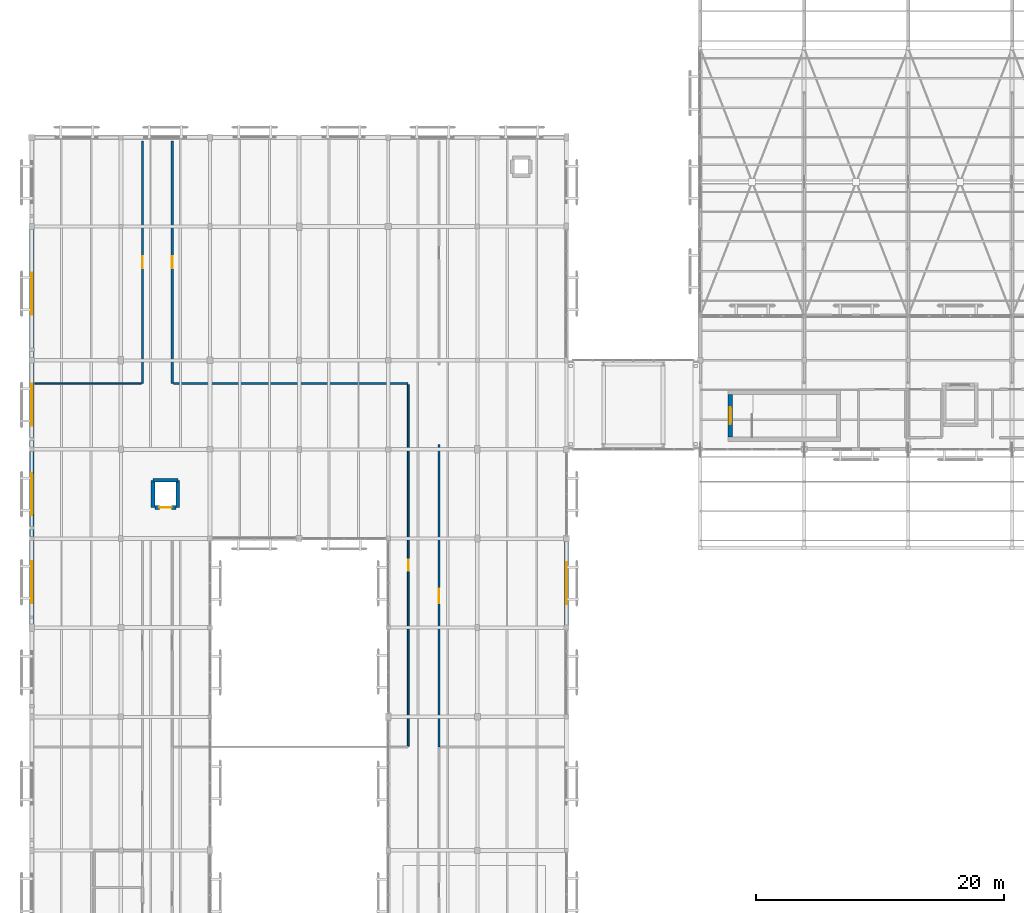
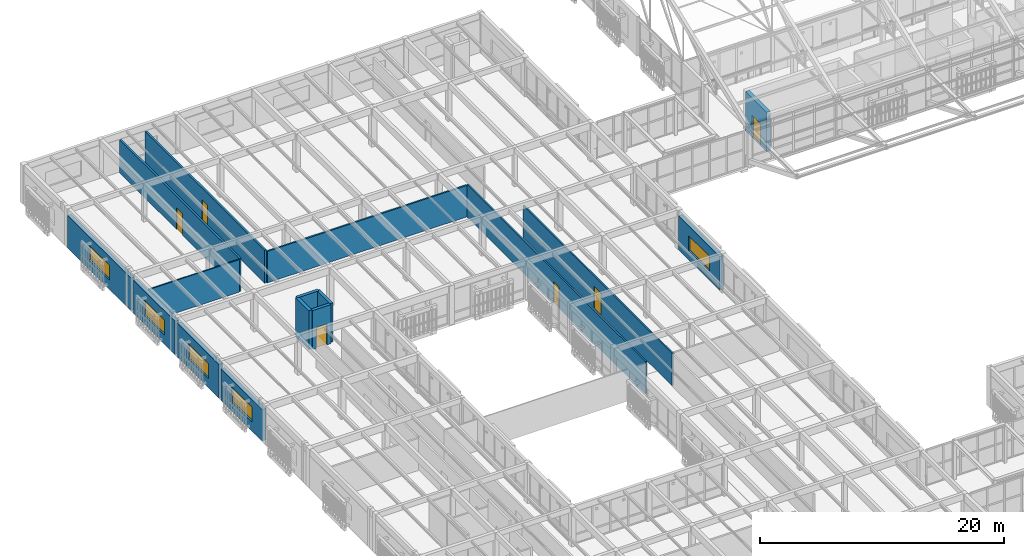
# One storey, part 180 of 217: 16 walls, 6 doors, 5 windows, 11 openings.
"""IFC4 building model written with IfcOpenShell, lengths in metres."""

from ifc_helpers import new_model, si_unit, direction, frame, frame_2d, origin, place, context, subcontext, project, spatial, rectangle, extrude, material, layer, layer_set, type_object, element, fill, save


model = new_model("IFC4")

# Units and contexts
model_context = context("Model", 3, precision=1e-05, world=origin(), true_north=direction((0.0, 1.0)))
body_context = subcontext(model_context, "Body", "Model", "MODEL_VIEW")
ifc_project = project(units=[si_unit("LENGTHUNIT", "METRE"), si_unit("AREAUNIT", "SQUARE_METRE"), si_unit("VOLUMEUNIT", "CUBIC_METRE"), si_unit("PLANEANGLEUNIT", "RADIAN"), si_unit("MASSUNIT", "GRAM", prefix="KILO")], contexts=[model_context])

# Site, building, storey
site_placement = place(None, origin())
site = spatial("IfcSite", under=ifc_project, at=site_placement, CompositionType="ELEMENT")
building_placement = place(site_placement, origin())
building = spatial("IfcBuilding", under=site, at=building_placement, Name="Mazaris Harbour Polytechnic", CompositionType="ELEMENT")
storey_placement = place(building_placement, frame((0.0, 0.0, 9.60009765625)))
storey = spatial("IfcBuildingStorey", under=building, at=storey_placement, Name="L02", CompositionType="ELEMENT", Elevation=9.60009765625)

# Walls
ifc_material_1 = material(Name="Gypsum Board and Mineral Wool")
ifc_layer_1 = layer(ifc_material_1, 0.1201171875, Name="Gypsum Board and Mineral Wool")
ifc_layer_set_1 = layer_set([ifc_layer_1], Name="Gypsum Board and Mineral Wool")
wall_type_1 = type_object("IfcWallType", Name="Acoustic Stud Partition 120", PredefinedType="PARTITIONING", material=ifc_layer_set_1)
wall_1_placement = place(storey_placement, frame((0.25, 80.9208984375, 0.0), z_axis=(0.0, 0.0, 1.0), x_axis=(1.0, 0.0, 0.0)))
element("IfcWall", 1, at=wall_1_placement, inside=storey, type_object=wall_type_1, Name="V4 L02 Partition 384", PredefinedType="PARTITIONING", context=body_context, shape_type="SweptSolid", body=[
    extrude(rectangle(XDim=8.580078125, YDim=0.1201171875, at=frame_2d((4.2900390625, 0.0))), origin(), (0.0, 0.0, 1.0), 3.25),
])
ifc_material_2 = material(Name="Double Gypsum and Mineral Wool")
ifc_layer_2 = layer(ifc_material_2, 0.14990234375, Name="Double Gypsum and Mineral Wool")
ifc_layer_set_2 = layer_set([ifc_layer_2], Name="Double Gypsum and Mineral Wool")
wall_type_2 = type_object("IfcWallType", Name="Classroom Acoustic Partition 150", PredefinedType="PARTITIONING", material=ifc_layer_set_2)
wall_2_placement = place(storey_placement, frame((11.469970703125, 80.9208984375, 0.0), z_axis=(0.0, 0.0, 1.0), x_axis=(1.0, 0.0, 0.0)))
element("IfcWall", 2, at=wall_2_placement, inside=storey, type_object=wall_type_2, Name="V4 L02 Partition 391", PredefinedType="PARTITIONING", context=body_context, shape_type="SweptSolid", body=[
    extrude(rectangle(XDim=18.909912109375, YDim=0.14990234375, at=frame_2d((9.455078125, 0.0))), origin(), (0.0, 0.0, 1.0), 3.14990234375),
])

# Wall, opening, door
ifc_material_3 = material(Name="Terracotta Block and Plaster", Category="masonry")
ifc_layer_3 = layer(ifc_material_3, 0.179931640625, Name="Terracotta Block and Plaster")
ifc_layer_set_3 = layer_set([ifc_layer_3], Name="Terracotta Block and Plaster")
wall_type_3 = type_object("IfcWallType", Name="Corridor Fire Partition 180", PredefinedType="PARTITIONING", material=ifc_layer_set_3)
wall_3_placement = place(storey_placement, frame((8.949951171875, 80.9208984375, 0.0), z_axis=(0.0, 0.0, 1.0), x_axis=(0.0, 1.0, 0.0)))
wall_3 = element("IfcWall", 3, at=wall_3_placement, inside=storey, type_object=wall_type_3, Name="V4 L02 Partition 385", PredefinedType="PARTITIONING", context=body_context, shape_type="SweptSolid", body=[
    extrude(rectangle(XDim=19.5791015625, YDim=0.179931640625, at=frame_2d((9.78955078125, 0.0))), origin(), (0.0, 0.0, 1.0), 3.309814453125),
])
opening_1_placement = place(wall_3_placement, frame((9.314453125, 0.0, 0.0)))
opening_1 = element("IfcOpeningElement", 4, at=opening_1_placement, cuts=wall_3, Name="Opening ID-01L", PredefinedType="OPENING", context=body_context, shape_type="SweptSolid", body=[
    extrude(rectangle(XDim=0.949951171875, YDim=2.14990234375, at=frame_2d((0.47509765625, 1.074951171875))), frame((0.0, 0.099853515625, 0.0), z_axis=(0.0, -1.0, 0.0), x_axis=(1.0, 0.0, 0.0)), (0.0, 0.0, 1.0), 0.199951171875),
])
ifc_material_4 = material(Name="Solid Oak Timber", Category="wood")
door_type_1 = type_object("IfcDoorType", Name="Classroom Single Door LH 950x2150", OperationType="SINGLE_SWING_LEFT", PredefinedType="DOOR", material=ifc_material_4)
door_1_placement = place(opening_1_placement, origin())
door_1 = element("IfcDoor", 5, at=door_1_placement, inside=storey, type_object=door_type_1, Name="ID-0180", OperationType="SINGLE_SWING_LEFT", OverallHeight=2.14990234375, OverallWidth=0.949951171875, PredefinedType="DOOR", context=body_context, shape_type="SweptSolid", body=[
    extrude(rectangle(XDim=0.949951171875, YDim=2.14990234375, at=frame_2d((0.47509765625, 1.074951171875))), frame((0.0, 0.02490234375, 0.0), z_axis=(0.0, -1.0, 0.0), x_axis=(1.0, 0.0, 0.0)), (0.0, 0.0, 1.0), 0.050048828125),
])
fill(opening_1, door_1)

wall_4_placement = place(storey_placement, frame((11.35009765625, 80.9208984375, 0.0), z_axis=(0.0, 0.0, 1.0), x_axis=(0.0, 1.0, 0.0)))
wall_4 = element("IfcWall", 6, at=wall_4_placement, inside=storey, type_object=wall_type_3, Name="V4 L02 Partition 392", PredefinedType="PARTITIONING", context=body_context, shape_type="SweptSolid", body=[
    extrude(rectangle(XDim=19.5791015625, YDim=0.179931640625, at=frame_2d((9.78955078125, 0.0))), origin(), (0.0, 0.0, 1.0), 3.309814453125),
])
opening_2_placement = place(wall_4_placement, frame((9.314453125, 0.0, 0.0)))
opening_2 = element("IfcOpeningElement", 7, at=opening_2_placement, cuts=wall_4, Name="Opening ID-01L", PredefinedType="OPENING", context=body_context, shape_type="SweptSolid", body=[
    extrude(rectangle(XDim=0.949951171875, YDim=2.14990234375, at=frame_2d((0.47509765625, 1.074951171875))), frame((0.0, 0.099853515625, 0.0), z_axis=(0.0, -1.0, 0.0), x_axis=(1.0, 0.0, 0.0)), (0.0, 0.0, 1.0), 0.199951171875),
])
door_2_placement = place(opening_2_placement, origin())
door_2 = element("IfcDoor", 8, at=door_2_placement, inside=storey, type_object=door_type_1, Name="ID-0184", OperationType="SINGLE_SWING_LEFT", OverallHeight=2.14990234375, OverallWidth=0.949951171875, PredefinedType="DOOR", context=body_context, shape_type="SweptSolid", body=[
    extrude(rectangle(XDim=0.949951171875, YDim=2.14990234375, at=frame_2d((0.47509765625, 1.074951171875))), frame((0.0, 0.02490234375, 0.0), z_axis=(0.0, -1.0, 0.0), x_axis=(1.0, 0.0, 0.0)), (0.0, 0.0, 1.0), 0.050048828125),
])
fill(opening_2, door_2)

# Wall, opening, window
ifc_material_5 = material(Name="Algerian Buff Limestone and Concrete C30/37", Category="masonry")
ifc_layer_4 = layer(ifc_material_5, 0.360107421875, Name="Algerian Buff Limestone and Concrete C30/37")
ifc_layer_set_4 = layer_set([ifc_layer_4], Name="Algerian Buff Limestone and Concrete C30/37")
wall_type_4 = type_object("IfcWallType", Name="Limestone Ashlar Exterior Wall 360", PredefinedType="STANDARD", material=ifc_layer_set_4)
wall_5_placement = place(storey_placement, frame((0.0, 61.491943359375, 0.0), z_axis=(0.0, 0.0, 1.0), x_axis=(0.0, 1.0, 0.0)))
wall_5 = element("IfcWall", 9, at=wall_5_placement, inside=storey, type_object=wall_type_4, Name="V4 L02 Exterior Wall 206", PredefinedType="STANDARD", context=body_context, shape_type="SweptSolid", body=[
    extrude(rectangle(XDim=6.74609375, YDim=0.360107421875, at=frame_2d((3.373046875, 0.0))), origin(), (0.0, 0.0, 1.0), 3.14990234375),
])
opening_3_placement = place(wall_5_placement, frame((1.673095703125, 0.0, 0.89990234375)))
opening_3 = element("IfcOpeningElement", 10, at=opening_3_placement, cuts=wall_5, Name="Opening WN-16", PredefinedType="OPENING", context=body_context, shape_type="SweptSolid", body=[
    extrude(rectangle(XDim=3.39990234375, YDim=1.5, at=frame_2d((1.699951171875, 0.75))), frame((0.0, 0.18994140625, 0.0), z_axis=(0.0, -1.0, 0.0), x_axis=(1.0, 0.0, 0.0)), (0.0, 0.0, 1.0), 0.380126953125),
])
ifc_material_6 = material(Name="Thermally Broken Bronze Aluminium and Low-E Glass", Category="aluminium")
window_type = type_object("IfcWindowType", Name="Workshop Clerestory Ribbon 3400x1500", PartitioningType="DOUBLE_PANEL_VERTICAL", PredefinedType="WINDOW", material=ifc_material_6)
window_1_placement = place(opening_3_placement, origin())
window_1 = element("IfcWindow", 11, at=window_1_placement, inside=storey, type_object=window_type, Name="WN-0208", OverallHeight=1.5, OverallWidth=3.39990234375, PartitioningType="DOUBLE_PANEL_VERTICAL", PredefinedType="WINDOW", context=body_context, shape_type="SweptSolid", body=[
    extrude(rectangle(XDim=3.39990234375, YDim=1.5, at=frame_2d((1.699951171875, 0.75))), frame((0.0, 0.030029296875, 0.0), z_axis=(0.0, -1.0, 0.0), x_axis=(1.0, 0.0, 0.0)), (0.0, 0.0, 1.0), 0.06005859375),
])
fill(opening_3, window_1)

wall_6_placement = place(storey_placement, frame((0.0, 68.56201171875, 0.0), z_axis=(0.0, 0.0, 1.0), x_axis=(0.0, 1.0, 0.0)))
wall_6 = element("IfcWall", 12, at=wall_6_placement, inside=storey, type_object=wall_type_4, Name="V4 L02 Exterior Wall 207", PredefinedType="STANDARD", context=body_context, shape_type="SweptSolid", body=[
    extrude(rectangle(XDim=6.85595703125, YDim=0.360107421875, at=frame_2d((3.427978515625, 0.0))), origin(), (0.0, 0.0, 1.0), 3.369873046875),
])
opening_4_placement = place(wall_6_placement, frame((1.72802734375, 0.0, 0.89990234375)))
opening_4 = element("IfcOpeningElement", 13, at=opening_4_placement, cuts=wall_6, Name="Opening WN-16", PredefinedType="OPENING", context=body_context, shape_type="SweptSolid", body=[
    extrude(rectangle(XDim=3.39990234375, YDim=1.5, at=frame_2d((1.699951171875, 0.75))), frame((0.0, 0.18994140625, 0.0), z_axis=(0.0, -1.0, 0.0), x_axis=(1.0, 0.0, 0.0)), (0.0, 0.0, 1.0), 0.380126953125),
])
window_2_placement = place(opening_4_placement, origin())
window_2 = element("IfcWindow", 14, at=window_2_placement, inside=storey, type_object=window_type, Name="WN-0209", OverallHeight=1.5, OverallWidth=3.39990234375, PartitioningType="DOUBLE_PANEL_VERTICAL", PredefinedType="WINDOW", context=body_context, shape_type="SweptSolid", body=[
    extrude(rectangle(XDim=3.39990234375, YDim=1.5, at=frame_2d((1.699951171875, 0.75))), frame((0.0, 0.030029296875, 0.0), z_axis=(0.0, -1.0, 0.0), x_axis=(1.0, 0.0, 0.0)), (0.0, 0.0, 1.0), 0.06005859375),
])
fill(opening_4, window_2)

wall_7_placement = place(storey_placement, frame((0.0, 75.781982421875, 0.0), z_axis=(0.0, 0.0, 1.0), x_axis=(0.0, 1.0, 0.0)))
wall_7 = element("IfcWall", 15, at=wall_7_placement, inside=storey, type_object=wall_type_4, Name="V4 L02 Exterior Wall 208", PredefinedType="STANDARD", context=body_context, shape_type="SweptSolid", body=[
    extrude(rectangle(XDim=6.81591796875, YDim=0.360107421875, at=frame_2d((3.407958984375, 0.0))), origin(), (0.0, 0.0, 1.0), 3.309814453125),
])
opening_5_placement = place(wall_7_placement, frame((1.7080078125, 0.0, 0.89990234375)))
opening_5 = element("IfcOpeningElement", 16, at=opening_5_placement, cuts=wall_7, Name="Opening WN-16", PredefinedType="OPENING", context=body_context, shape_type="SweptSolid", body=[
    extrude(rectangle(XDim=3.39990234375, YDim=1.5, at=frame_2d((1.699951171875, 0.75))), frame((0.0, 0.18994140625, 0.0), z_axis=(0.0, -1.0, 0.0), x_axis=(1.0, 0.0, 0.0)), (0.0, 0.0, 1.0), 0.380126953125),
])
window_3_placement = place(opening_5_placement, origin())
window_3 = element("IfcWindow", 17, at=window_3_placement, inside=storey, type_object=window_type, Name="WN-0210", OverallHeight=1.5, OverallWidth=3.39990234375, PartitioningType="DOUBLE_PANEL_VERTICAL", PredefinedType="WINDOW", context=body_context, shape_type="SweptSolid", body=[
    extrude(rectangle(XDim=3.39990234375, YDim=1.5, at=frame_2d((1.699951171875, 0.75))), frame((0.0, 0.030029296875, 0.0), z_axis=(0.0, -1.0, 0.0), x_axis=(1.0, 0.0, 0.0)), (0.0, 0.0, 1.0), 0.06005859375),
])
fill(opening_5, window_3)

wall_8_placement = place(storey_placement, frame((0.0, 83.001953125, 0.0), z_axis=(0.0, 0.0, 1.0), x_axis=(0.0, 1.0, 0.0)))
wall_8 = element("IfcWall", 18, at=wall_8_placement, inside=storey, type_object=wall_type_4, Name="V4 L02 Exterior Wall 209", PredefinedType="STANDARD", context=body_context, shape_type="SweptSolid", body=[
    extrude(rectangle(XDim=10.3759765625, YDim=0.360107421875, at=frame_2d((5.18798828125, 0.0))), origin(), (0.0, 0.0, 1.0), 3.25),
])
opening_6_placement = place(wall_8_placement, frame((3.488037109375, 0.0, 0.89990234375)))
opening_6 = element("IfcOpeningElement", 19, at=opening_6_placement, cuts=wall_8, Name="Opening WN-16", PredefinedType="OPENING", context=body_context, shape_type="SweptSolid", body=[
    extrude(rectangle(XDim=3.39990234375, YDim=1.5, at=frame_2d((1.699951171875, 0.75))), frame((0.0, 0.18994140625, 0.0), z_axis=(0.0, -1.0, 0.0), x_axis=(1.0, 0.0, 0.0)), (0.0, 0.0, 1.0), 0.380126953125),
])
window_4_placement = place(opening_6_placement, origin())
window_4 = element("IfcWindow", 20, at=window_4_placement, inside=storey, type_object=window_type, Name="WN-0211", OverallHeight=1.5, OverallWidth=3.39990234375, PartitioningType="DOUBLE_PANEL_VERTICAL", PredefinedType="WINDOW", context=body_context, shape_type="SweptSolid", body=[
    extrude(rectangle(XDim=3.39990234375, YDim=1.5, at=frame_2d((1.699951171875, 0.75))), frame((0.0, 0.030029296875, 0.0), z_axis=(0.0, -1.0, 0.0), x_axis=(1.0, 0.0, 0.0)), (0.0, 0.0, 1.0), 0.06005859375),
])
fill(opening_6, window_4)

wall_9_placement = place(storey_placement, frame((43.199951171875, 68.177978515625, 0.0), z_axis=(0.0, 0.0, 1.0), x_axis=(0.0, -1.0, 0.0)))
wall_9 = element("IfcWall", 21, at=wall_9_placement, inside=storey, type_object=wall_type_4, Name="V4 L02 Exterior Wall 214", PredefinedType="STANDARD", context=body_context, shape_type="SweptSolid", body=[
    extrude(rectangle(XDim=6.77587890625, YDim=0.360107421875, at=frame_2d((3.387939453125, 0.0))), origin(), (0.0, 0.0, 1.0), 3.369873046875),
])
opening_7_placement = place(wall_9_placement, frame((1.68798828125, 0.0, 0.89990234375)))
opening_7 = element("IfcOpeningElement", 22, at=opening_7_placement, cuts=wall_9, Name="Opening WN-16", PredefinedType="OPENING", context=body_context, shape_type="SweptSolid", body=[
    extrude(rectangle(XDim=3.39990234375, YDim=1.5, at=frame_2d((1.699951171875, 0.75))), frame((0.0, 0.18994140625, 0.0), z_axis=(0.0, -1.0, 0.0), x_axis=(1.0, 0.0, 0.0)), (0.0, 0.0, 1.0), 0.380126953125),
])
window_5_placement = place(opening_7_placement, origin())
window_5 = element("IfcWindow", 23, at=window_5_placement, inside=storey, type_object=window_type, Name="WN-0216", OverallHeight=1.5, OverallWidth=3.39990234375, PartitioningType="DOUBLE_PANEL_VERTICAL", PredefinedType="WINDOW", context=body_context, shape_type="SweptSolid", body=[
    extrude(rectangle(XDim=3.39990234375, YDim=1.5, at=frame_2d((1.699951171875, 0.75))), frame((0.0, 0.030029296875, 0.0), z_axis=(0.0, -1.0, 0.0), x_axis=(1.0, 0.0, 0.0)), (0.0, 0.0, 1.0), 0.06005859375),
])
fill(opening_7, window_5)

# Wall, opening, door
ifc_material_7 = material(Name="Concrete C40/50", Category="concrete")
ifc_layer_5 = layer(ifc_material_7, 0.35009765625, Name="Concrete C40/50")
ifc_layer_set_5 = layer_set([ifc_layer_5], Name="Concrete C40/50")
wall_type_5 = type_object("IfcWallType", Name="RC Core Shear Wall 350", PredefinedType="SHEAR", material=ifc_layer_set_5)
wall_10_placement = place(storey_placement, frame((56.425048828125, 80.050048828125, 0.0), z_axis=(0.0, 0.0, 1.0), x_axis=(0.0, -1.0, 0.0)))
wall_10 = element("IfcWall", 24, at=wall_10_placement, inside=storey, type_object=wall_type_5, Name="Core ST01 L02 Entrance Shear Wall", PredefinedType="SHEAR", context=body_context, shape_type="SweptSolid", body=[
    extrude(rectangle(XDim=3.449951171875, YDim=0.35009765625, at=frame_2d((1.72509765625, 0.0))), origin(), (0.0, 0.0, 1.0), 3.9599609375),
])
opening_8_placement = place(wall_10_placement, frame((1.034912109375, 0.0, 0.0)))
opening_8 = element("IfcOpeningElement", 25, at=opening_8_placement, cuts=wall_10, Name="Opening SD-01", PredefinedType="OPENING", context=body_context, shape_type="SweptSolid", body=[
    extrude(rectangle(XDim=1.3798828125, YDim=2.199951171875, at=frame_2d((0.68994140625, 1.10009765625))), frame((0.0, 0.18505859375, 0.0), z_axis=(0.0, -1.0, 0.0), x_axis=(1.0, 0.0, 0.0)), (0.0, 0.0, 1.0), 0.3701171875),
])
ifc_material_8 = material(Name="Glulam Timber and Fire Glass", Category="wood")
door_type_2 = type_object("IfcDoorType", Name="Protected Stair Lobby Fire Door 1380x2200", OperationType="DOUBLE_DOOR_SINGLE_SWING", PredefinedType="DOOR", material=ifc_material_8)
door_3_placement = place(opening_8_placement, origin())
door_3 = element("IfcDoor", 26, at=door_3_placement, inside=storey, type_object=door_type_2, Name="SD-004", OperationType="DOUBLE_DOOR_SINGLE_SWING", OverallHeight=2.199951171875, OverallWidth=1.3798828125, PredefinedType="DOOR", context=body_context, shape_type="SweptSolid", body=[
    extrude(rectangle(XDim=1.3798828125, YDim=2.199951171875, at=frame_2d((0.68994140625, 1.10009765625))), frame((0.0, 0.02490234375, 0.0), z_axis=(0.0, -1.0, 0.0), x_axis=(1.0, 0.0, 0.0)), (0.0, 0.0, 1.0), 0.050048828125),
])
fill(opening_8, door_3)

# Walls
ifc_material_9 = material(Name="Concrete C40/50", Category="concrete")
ifc_layer_6 = layer(ifc_material_9, 0.300048828125, Name="Concrete C40/50")
ifc_layer_set_6 = layer_set([ifc_layer_6], Name="Concrete C40/50")
wall_type_6 = type_object("IfcWallType", Name="RC Lift Shaft Wall 300", PredefinedType="SHEAR", material=ifc_layer_set_6)
wall_11_placement = place(storey_placement, frame((11.800048828125, 73.10009765625, 0.0), z_axis=(0.0, 0.0, 1.0), x_axis=(-1.0, 0.0, 0.0)))
element("IfcWall", 27, at=wall_11_placement, inside=storey, type_object=wall_type_6, Name="Lift LP-01 L02 North Shaft Wall", PredefinedType="SHEAR", context=body_context, shape_type="SweptSolid", body=[
    extrude(rectangle(XDim=2.0, YDim=0.300048828125, at=frame_2d((1.0, 0.0))), origin(), (0.0, 0.0, 1.0), 3.889892578125),
])
for number, where, z_axis, x_axis, name in (
    (28, (9.800048828125, 73.10009765625, 0.0), (0.0, 0.0, 1.0), (0.0, -1.0, 0.0), "Lift LP-01 L02 West Shaft Wall"),
    (29, (11.800048828125, 70.89990234375, 0.0), (0.0, 0.0, 1.0), (0.0, 1.0, 0.0), "Lift LP-01 L02 East Shaft Wall"),
):
    element("IfcWall", number, at=place(storey_placement, frame(where, z_axis=z_axis, x_axis=x_axis)), inside=storey, type_object=wall_type_6, Name=name, PredefinedType="SHEAR", context=body_context, shape_type="SweptSolid", body=[
        extrude(rectangle(XDim=2.2001953125, YDim=0.300048828125, at=frame_2d((1.10009765625, 0.0))), origin(), (0.0, 0.0, 1.0), 3.889892578125),
    ])

# Wall, opening, door
wall_12_placement = place(storey_placement, frame((11.659912109375, 70.89990234375, 0.0), z_axis=(0.0, 0.0, 1.0), x_axis=(-1.0, 0.0, 0.0)))
wall_12 = element("IfcWall", 30, at=wall_12_placement, inside=storey, type_object=wall_type_6, Name="Lift LP-01 L02 Front Shaft Wall", PredefinedType="SHEAR", context=body_context, shape_type="SweptSolid", body=[
    extrude(rectangle(XDim=1.719970703125, YDim=0.300048828125, at=frame_2d((0.85986328125, 0.0))), origin(), (0.0, 0.0, 1.0), 3.889892578125),
])
opening_9_placement = place(wall_12_placement, frame((0.360107421875, 0.0, 0.0)))
opening_9 = element("IfcOpeningElement", 31, at=opening_9_placement, cuts=wall_12, Name="Opening LD-01", PredefinedType="OPENING", context=body_context, shape_type="SweptSolid", body=[
    extrude(rectangle(XDim=1.0, YDim=2.10009765625, at=frame_2d((0.5, 1.050048828125))), frame((0.0, 0.159912109375, 0.0), z_axis=(0.0, -1.0, 0.0), x_axis=(1.0, 0.0, 0.0)), (0.0, 0.0, 1.0), 0.320068359375),
])
ifc_material_10 = material(Name="Stainless Steel S355", Category="steel")
door_type_3 = type_object("IfcDoorType", Name="Sliding Passenger Lift Landing Door 1000x2100", OperationType="SLIDING_TO_LEFT", PredefinedType="DOOR", material=ifc_material_10)
door_4_placement = place(opening_9_placement, origin())
door_4 = element("IfcDoor", 32, at=door_4_placement, inside=storey, type_object=door_type_3, Name="LD-017", OperationType="SLIDING_TO_LEFT", OverallHeight=2.10009765625, OverallWidth=1.0, PredefinedType="DOOR", context=body_context, shape_type="SweptSolid", body=[
    extrude(rectangle(XDim=1.0, YDim=2.10009765625, at=frame_2d((0.5, 1.050048828125))), frame((0.0, 0.02490234375, 0.0), z_axis=(0.0, -1.0, 0.0), x_axis=(1.0, 0.0, 0.0)), (0.0, 0.0, 1.0), 0.050048828125),
])
fill(opening_9, door_4)

ifc_material_11 = material(Name="Moisture-Resistant Gypsum and Steel Stud", Category="steel")
ifc_layer_7 = layer(ifc_material_11, 0.14501953125, Name="Moisture-Resistant Gypsum and Steel Stud")
ifc_layer_set_7 = layer_set([ifc_layer_7], Name="Moisture-Resistant Gypsum and Steel Stud")
wall_type_7 = type_object("IfcWallType", Name="Sanitary Plumbing Wall 145", PredefinedType="PLUMBINGWALL", material=ifc_layer_set_7)
wall_13_placement = place(storey_placement, frame((30.419921875, 80.841064453125, 0.0), z_axis=(0.0, 0.0, 1.0), x_axis=(0.0, -1.0, 0.0)))
wall_13 = element("IfcWall", 33, at=wall_13_placement, inside=storey, type_object=wall_type_7, Name="V4 L02 Partition 690", PredefinedType="PLUMBINGWALL", context=body_context, shape_type="SweptSolid", body=[
    extrude(rectangle(XDim=29.2080078125, YDim=0.14501953125, at=frame_2d((14.60400390625, 0.0))), origin(), (0.0, 0.0, 1.0), 3.25),
])
opening_10_placement = place(wall_13_placement, frame((14.154052734375, 0.0, 0.0)))
opening_10 = element("IfcOpeningElement", 34, at=opening_10_placement, cuts=wall_13, Name="Opening ID-07R", PredefinedType="OPENING", context=body_context, shape_type="SweptSolid", body=[
    extrude(rectangle(XDim=0.89990234375, YDim=2.10009765625, at=frame_2d((0.449951171875, 1.050048828125))), frame((0.0, 0.08251953125, 0.0), z_axis=(0.0, -1.0, 0.0), x_axis=(1.0, 0.0, 0.0)), (0.0, 0.0, 1.0), 0.1650390625),
])
ifc_material_12 = material(Name="Moisture-Resistant Laminate Timber", Category="wood")
door_type_4 = type_object("IfcDoorType", Name="Sanitary Room Door RH 900x2100", OperationType="SINGLE_SWING_RIGHT", PredefinedType="DOOR", material=ifc_material_12)
door_5_placement = place(opening_10_placement, origin())
door_5 = element("IfcDoor", 35, at=door_5_placement, inside=storey, type_object=door_type_4, Name="ID-0335", OperationType="SINGLE_SWING_RIGHT", OverallHeight=2.10009765625, OverallWidth=0.89990234375, PredefinedType="DOOR", context=body_context, shape_type="SweptSolid", body=[
    extrude(rectangle(XDim=0.89990234375, YDim=2.10009765625, at=frame_2d((0.449951171875, 1.050048828125))), frame((0.0, 0.02490234375, 0.0), z_axis=(0.0, -1.0, 0.0), x_axis=(1.0, 0.0, 0.0)), (0.0, 0.0, 1.0), 0.050048828125),
])
fill(opening_10, door_5)

ifc_material_13 = material(Name="Gypsum Board and Mineral Wool")
ifc_layer_8 = layer(ifc_material_13, 0.135009765625, Name="Gypsum Board and Mineral Wool")
ifc_layer_set_8 = layer_set([ifc_layer_8], Name="Gypsum Board and Mineral Wool")
wall_type_8 = type_object("IfcWallType", Name="Studio Partition Wall 135", PredefinedType="PARTITIONING", material=ifc_layer_set_8)
wall_14_placement = place(storey_placement, frame((32.89990234375, 51.55810546875, 0.0), z_axis=(0.0, 0.0, 1.0), x_axis=(0.0, 1.0, 0.0)))
wall_14 = element("IfcWall", 36, at=wall_14_placement, inside=storey, type_object=wall_type_8, Name="V4 L02 Partition 396", PredefinedType="PARTITIONING", context=body_context, shape_type="SweptSolid", body=[
    extrude(rectangle(XDim=24.421875, YDim=0.135009765625, at=frame_2d((12.2109375, 0.0))), origin(), (0.0, 0.0, 1.0), 3.25),
])
opening_11_placement = place(wall_14_placement, frame((11.631103515625, 0.0, 0.0)))
opening_11 = element("IfcOpeningElement", 37, at=opening_11_placement, cuts=wall_14, Name="Opening ID-03R", PredefinedType="OPENING", context=body_context, shape_type="SweptSolid", body=[
    extrude(rectangle(XDim=1.159912109375, YDim=2.199951171875, at=frame_2d((0.580078125, 1.10009765625))), frame((0.0, 0.077392578125, 0.0), z_axis=(0.0, -1.0, 0.0), x_axis=(1.0, 0.0, 0.0)), (0.0, 0.0, 1.0), 0.155029296875),
])
ifc_material_14 = material(Name="Glulam Timber and Acoustic Glass", Category="wood")
door_type_5 = type_object("IfcDoorType", Name="Design Studio Door RH 1160x2200", OperationType="SINGLE_SWING_RIGHT", PredefinedType="DOOR", material=ifc_material_14)
door_6_placement = place(opening_11_placement, origin())
door_6 = element("IfcDoor", 38, at=door_6_placement, inside=storey, type_object=door_type_5, Name="ID-0187", OperationType="SINGLE_SWING_RIGHT", OverallHeight=2.199951171875, OverallWidth=1.159912109375, PredefinedType="DOOR", context=body_context, shape_type="SweptSolid", body=[
    extrude(rectangle(XDim=1.159912109375, YDim=2.199951171875, at=frame_2d((0.580078125, 1.10009765625))), frame((0.0, 0.02490234375, 0.0), z_axis=(0.0, -1.0, 0.0), x_axis=(1.0, 0.0, 0.0)), (0.0, 0.0, 1.0), 0.050048828125),
])
fill(opening_11, door_6)

save(model, "model.ifc")
